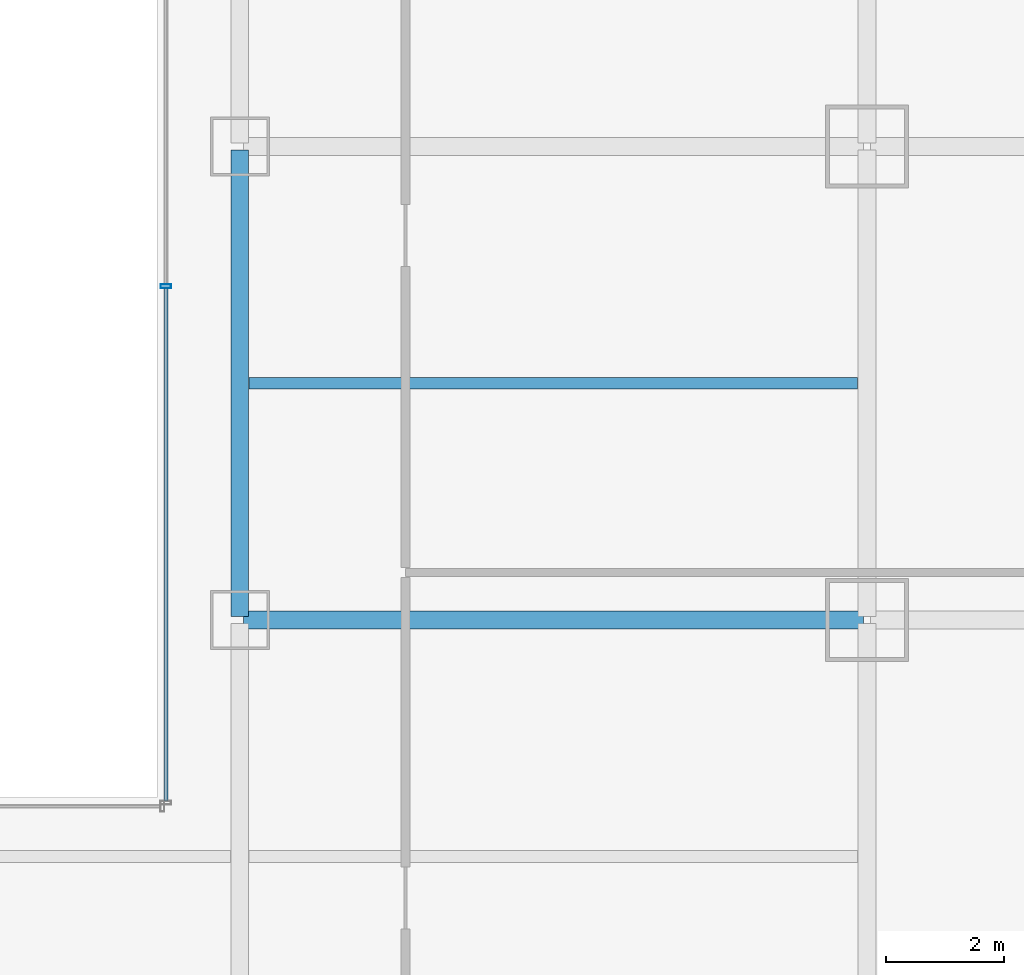
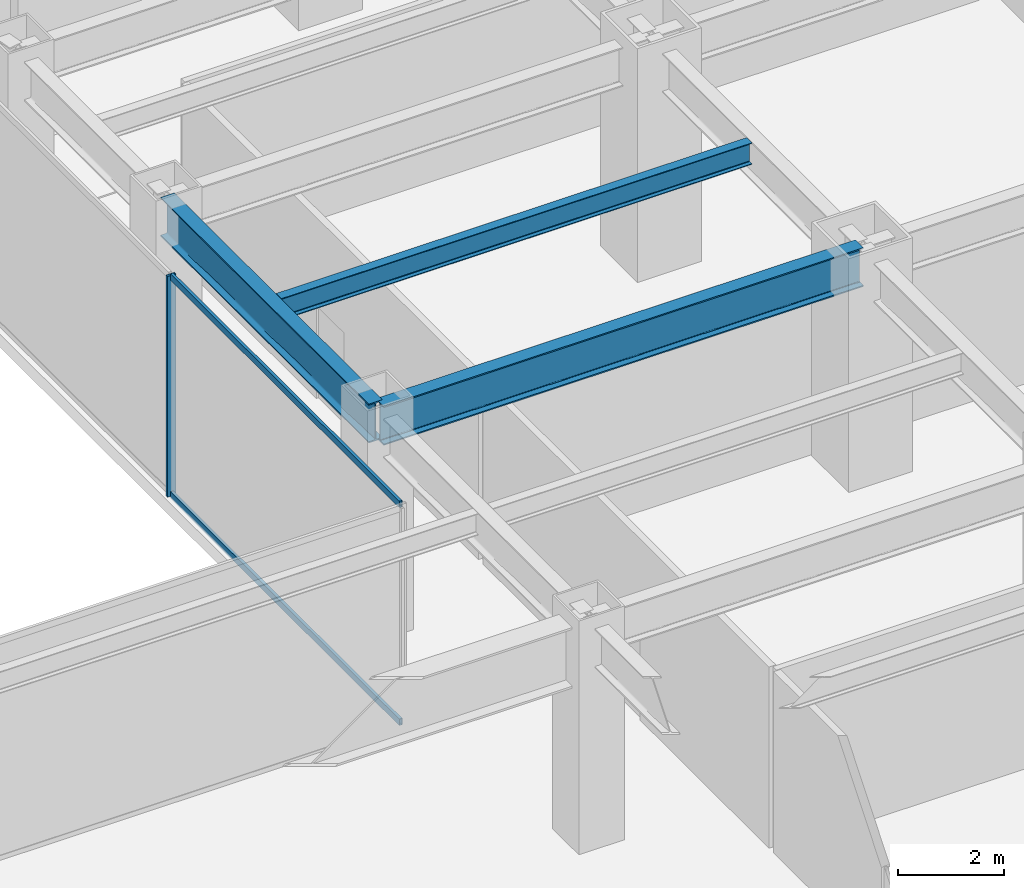
# One storey, part 20 of 52: 3 beams, 3 members, 1 element without a shape of its own.
"""IFC4 building model written with IfcOpenShell, lengths in metres."""

from ifc_helpers import new_model, si_unit, direction, frame, origin, origin_2d, place, context, subcontext, project, spatial, hollow_rectangle, i_section, extrude, material, material_profile, profile_set, type_object, element, aggregate, save


model = new_model("IFC4")

# Units and contexts
model_context = context("Model", 3, precision=1e-05, world=origin(), true_north=direction((0.0, 1.0)))
body_context = subcontext(model_context, "Body", "Model", "MODEL_VIEW")
ifc_project = project(units=[si_unit("LENGTHUNIT", "METRE"), si_unit("AREAUNIT", "SQUARE_METRE"), si_unit("VOLUMEUNIT", "CUBIC_METRE"), si_unit("PLANEANGLEUNIT", "RADIAN"), si_unit("MASSUNIT", "GRAM", prefix="KILO")], contexts=[model_context])

# Site, building, storey
site_placement = place(None, origin())
site = spatial("IfcSite", under=ifc_project, at=site_placement, CompositionType="ELEMENT")
building_placement = place(site_placement, origin())
building = spatial("IfcBuilding", under=site, at=building_placement, Name="Saevonmaru Cultural Tower", CompositionType="ELEMENT")
storey_placement = place(building_placement, frame((0.0, 0.0, 16.800048828125)))
storey = spatial("IfcBuildingStorey", under=building, at=storey_placement, Name="L03", CompositionType="ELEMENT", Elevation=16.800048828125)

# Beams
ifc_material_1 = material(Name="Steel SM420", Category="steel")
ifc_material_profile_1 = material_profile(ifc_material_1, i_section(OverallWidth=0.300048828125, OverallDepth=0.89990234375, WebThickness=0.01611328125, FlangeThickness=0.028076171875, FilletRadius=0.028076171875, at=origin_2d()), Name="H-900x300x16x28")
ifc_profile_set_1 = profile_set([ifc_material_profile_1], Name="Steel SM420")
beam_type_1 = type_object("IfcBeamType", Name="BM-G-H900", PredefinedType="BEAM", material=ifc_profile_set_1)
beam_1_placement = place(storey_placement, frame((37.199951171875, 24.06005859375, 4.64990234375), z_axis=(0.0, 1.0, 0.0), x_axis=(-1.0, 0.0, 0.0)))
element("IfcBeam", 1, at=beam_1_placement, inside=storey, type_object=beam_type_1, Name="L03 Podium Girder NS3-4", PredefinedType="BEAM", context=body_context, shape_type="SweptSolid", body=[
    extrude(i_section(OverallWidth=0.300048828125, OverallDepth=0.89990234375, WebThickness=0.01611328125, FlangeThickness=0.028076171875, FilletRadius=0.028076171875, at=origin_2d()), origin(), (0.0, 0.0, 1.0), 7.8798828125),
])
beam_2_placement = place(storey_placement, frame((37.260009765625, 24.0, 4.64990234375), z_axis=(1.0, 0.0, 0.0), x_axis=(0.0, 1.0, 0.0)))
element("IfcBeam", 2, at=beam_2_placement, inside=storey, type_object=beam_type_1, Name="L03 Gallery Girder E-3", PredefinedType="BEAM", context=body_context, shape_type="SweptSolid", body=[
    extrude(i_section(OverallWidth=0.300048828125, OverallDepth=0.89990234375, WebThickness=0.01611328125, FlangeThickness=0.028076171875, FilletRadius=0.028076171875, at=origin_2d()), origin(), (0.0, 0.0, 1.0), 10.47998046875),
])
ifc_material_2 = material(Name="Steel SM355", Category="steel")
ifc_material_profile_2 = material_profile(ifc_material_2, i_section(OverallWidth=0.199951171875, OverallDepth=0.5, WebThickness=0.010009765625, FlangeThickness=0.01611328125, FilletRadius=0.02001953125, at=origin_2d()), Name="H-500x200x10x16")
ifc_profile_set_2 = profile_set([ifc_material_profile_2], Name="Steel SM355")
beam_type_2 = type_object("IfcBeamType", Name="BM-J-H500", PredefinedType="JOIST", material=ifc_profile_set_2)
beam_3_placement = place(storey_placement, frame((37.35791015625, 28.0, 4.849853515625), z_axis=(1.0, 0.0, 0.0), x_axis=(0.0, 1.0, 0.0)))
element("IfcBeam", 3, at=beam_3_placement, inside=storey, type_object=beam_type_2, Name="L03 Secondary Floor Joist JE-3", PredefinedType="JOIST", context=body_context, shape_type="SweptSolid", body=[
    extrude(i_section(OverallWidth=0.199951171875, OverallDepth=0.5, WebThickness=0.010009765625, FlangeThickness=0.01611328125, FilletRadius=0.02001953125, at=origin_2d()), origin(), (0.0, 0.0, 1.0), 10.2841796875),
])

# Curtain wall, members
ifc_material_3 = material(Name="Satin Bronze Anodised Aluminium", Category="aluminium")
curtain_wall_type = type_object("IfcCurtainWallType", Name="CW-ATR-GLZ", PredefinedType="NOTDEFINED", material=ifc_material_3)
curtain_wall_placement = place(storey_placement, origin())
curtain_wall = element("IfcCurtainWall", 4, at=curtain_wall_placement, inside=storey, type_object=curtain_wall_type, Name="L03 Vertical Atrium Glazed Smoke Screen 2", PredefinedType="NOTDEFINED")
ifc_material_profile_3 = material_profile(ifc_material_3, hollow_rectangle(XDim=0.06494140625, YDim=0.179931640625, WallThickness=0.00390625, at=origin_2d()), Name="ALU-MULL-180x65x4")
ifc_profile_set_3 = profile_set([ifc_material_profile_3], Name="Satin Bronze Anodised Aluminium")
member_type_1 = type_object("IfcMemberType", Name="ML-CW-INT-180x65", PredefinedType="MULLION", material=ifc_profile_set_3)
member_1_placement = place(storey_placement, frame((35.949951171875, 29.639892578125, 0.0), z_axis=(0.0, 0.0, 1.0), x_axis=(0.0, 1.0, 0.0)))
member_1 = element("IfcMember", 5, at=member_1_placement, type_object=member_type_1, Name="CW-ATR-L03-2 mullion 2", PredefinedType="MULLION", context=body_context, shape_type="SweptSolid", body=[
    extrude(hollow_rectangle(XDim=0.06494140625, YDim=0.179931640625, WallThickness=0.00390625, at=origin_2d()), origin(), (0.0, 0.0, 1.0), 5.099853515625),
])
ifc_material_profile_4 = material_profile(ifc_material_3, hollow_rectangle(XDim=0.06494140625, YDim=0.14990234375, WallThickness=0.00390625, at=origin_2d()), Name="ALU-TRAN-150x65x4")
ifc_profile_set_4 = profile_set([ifc_material_profile_4], Name="Satin Bronze Anodised Aluminium")
member_type_2 = type_object("IfcMemberType", Name="TR-CW-INT-150x65", PredefinedType="USERDEFINED", material=ifc_profile_set_4)
member_2_placement = place(storey_placement, frame((35.949951171875, 20.9423828125, 0.032470703125), z_axis=(0.0, 1.0, 0.0), x_axis=(-1.0, 0.0, 0.0)))
member_2 = element("IfcMember", 6, at=member_2_placement, type_object=member_type_2, Name="CW-ATR-L03-2 transom 1.1", ObjectType="TRANSOM", PredefinedType="USERDEFINED", context=body_context, shape_type="SweptSolid", body=[
    extrude(hollow_rectangle(XDim=0.06494140625, YDim=0.14990234375, WallThickness=0.00390625, at=origin_2d()), origin(), (0.0, 0.0, 1.0), 8.6650390625),
])
member_3_placement = place(storey_placement, frame((35.949951171875, 20.9423828125, 5.0673828125), z_axis=(0.0, 1.0, 0.0), x_axis=(-1.0, 0.0, 0.0)))
member_3 = element("IfcMember", 7, at=member_3_placement, type_object=member_type_2, Name="CW-ATR-L03-2 transom 1.2", ObjectType="TRANSOM", PredefinedType="USERDEFINED", context=body_context, shape_type="SweptSolid", body=[
    extrude(hollow_rectangle(XDim=0.06494140625, YDim=0.14990234375, WallThickness=0.00390625, at=origin_2d()), origin(), (0.0, 0.0, 1.0), 8.6650390625),
])
aggregate(curtain_wall, [member_1, member_2, member_3])

save(model, "model.ifc")
